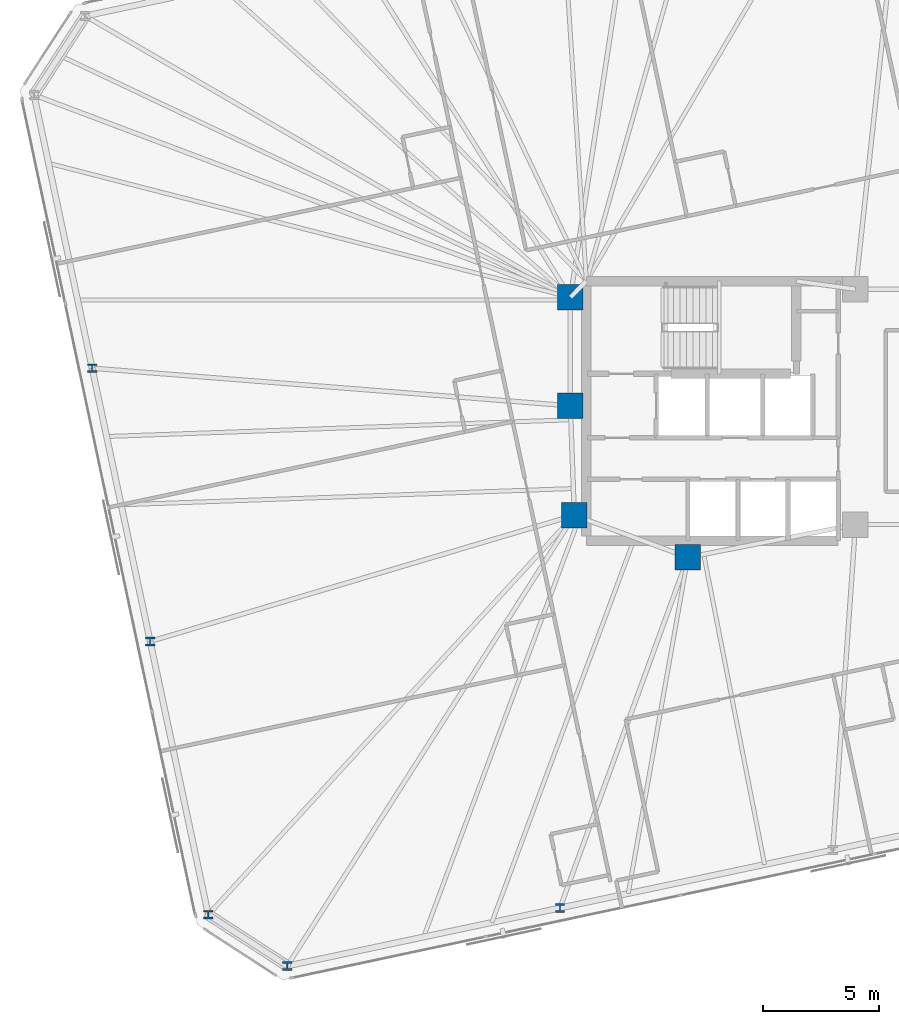
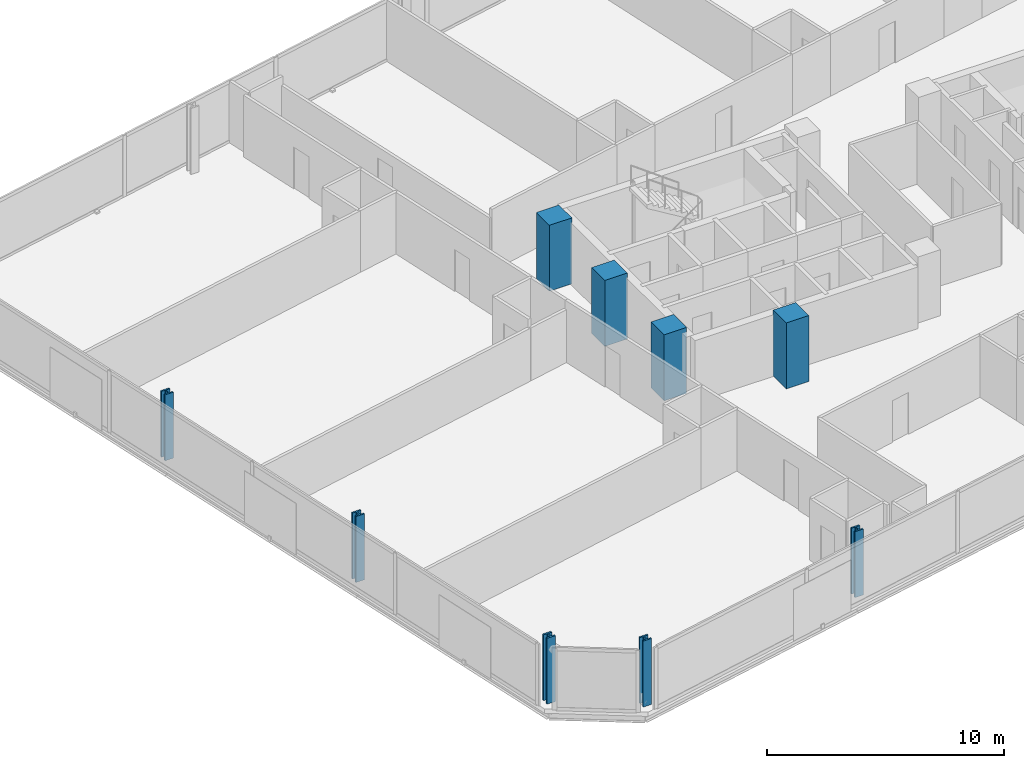
# One storey, part 1 of 19: 9 columns.
"""IFC4 building model written with IfcOpenShell, lengths in metres."""

from ifc_helpers import new_model, si_unit, direction, frame, origin, origin_2d, place, context, subcontext, project, spatial, rectangle, i_section, extrude, material, material_profile, profile_set, type_object, element, save


model = new_model("IFC4")

# Units and contexts
model_context = context("Model", 3, precision=1e-05, world=origin(), true_north=direction((0.0, 1.0)))
body_context = subcontext(model_context, "Body", "Model", "MODEL_VIEW")
ifc_project = project(units=[si_unit("LENGTHUNIT", "METRE"), si_unit("AREAUNIT", "SQUARE_METRE"), si_unit("VOLUMEUNIT", "CUBIC_METRE"), si_unit("PLANEANGLEUNIT", "RADIAN"), si_unit("MASSUNIT", "GRAM", prefix="KILO")], contexts=[model_context])

# Site, building, storey
site_placement = place(None, origin())
site = spatial("IfcSite", under=ifc_project, at=site_placement, CompositionType="ELEMENT")
building_placement = place(site_placement, origin())
building = spatial("IfcBuilding", under=site, at=building_placement, Name="Menara Jurai Vektor", CompositionType="ELEMENT")
storey_placement = place(building_placement, frame((0.0, 0.0, 195.60009765625)))
storey = spatial("IfcBuildingStorey", under=building, at=storey_placement, Name="L51", CompositionType="ELEMENT", Elevation=195.60009765625)

# Columns
ifc_material_1 = material(Name="Concrete C50/60", Category="concrete")
ifc_material_profile_1 = material_profile(ifc_material_1, rectangle(XDim=1.10009765625, YDim=1.10009765625, at=origin_2d()), Name="RC 1100x1100")
ifc_profile_set_1 = profile_set([ifc_material_profile_1], Name="Concrete C50/60")
column_type_1 = type_object("IfcColumnType", Name="STR-COL-RC1100", PredefinedType="COLUMN", material=ifc_profile_set_1)
for number, where, z_axis, x_axis, name in (
    (1, (-15.25, 4.89990234375, 0.0), (0.0, 0.0, 1.0), (1.0, 0.0, 0.0), "Core Spine Column CW-NW L51"),
    (2, (-15.25, 0.219970703125, 0.0), (0.0, 0.0, 1.0), (1.0, 0.0, 0.0), "Core Spine Column CW-WM L51"),
    (3, (-15.080078125, -4.5, 0.0), (0.0, 0.0, 1.0), (1.0, 0.0, 0.0), "Core Spine Column CW-SW L51"),
    (4, (-10.179931640625, -6.320068359375, 0.0), (0.0, 0.0, 1.0), (1.0, 0.0, 0.0), "Core Spine Column CW-SM L51"),
):
    element("IfcColumn", number, at=place(storey_placement, frame(where, z_axis=z_axis, x_axis=x_axis)), inside=storey, type_object=column_type_1, Name=name, PredefinedType="COLUMN", context=body_context, shape_type="SweptSolid", body=[
        extrude(rectangle(XDim=1.10009765625, YDim=1.10009765625, at=origin_2d()), origin(), (0.0, 0.0, 1.0), 3.39990234375),
    ])
ifc_material_2 = material(Name="Steel S460", Category="steel")
ifc_material_profile_2 = material_profile(ifc_material_2, i_section(OverallWidth=0.408935546875, OverallDepth=0.3740234375, WebThickness=0.048095703125, FlangeThickness=0.076904296875, FilletRadius=0.014892578125, at=origin_2d()), Name="HD 400x634")
ifc_profile_set_2 = profile_set([ifc_material_profile_2], Name="Steel S460")
column_type_2 = type_object("IfcColumnType", Name="STR-EXO-BLK3", PredefinedType="COLUMN", material=ifc_profile_set_2)
for number, where, z_axis, x_axis, name in (
    (5, (-27.46484375, -23.94580078125, 0.0), (0.0, 0.0, 1.0), (1.0, 0.0, 0.0), "Exoskeleton Column BLK3-S1 L51"),
    (6, (-15.696533203125, -21.4443359375, 0.0), (0.0, 0.0, 1.0), (1.0, 0.0, 0.0), "Exoskeleton Column BLK3-S2 L51"),
    (7, (-35.8828125, 1.843505859375, 0.0), (0.0, 0.0, 1.0), (1.0, 0.0, 0.0), "Exoskeleton Column BLK3-W2 L51"),
    (8, (-33.377197265625, -9.945068359375, 0.0), (0.0, 0.0, 1.0), (1.0, 0.0, 0.0), "Exoskeleton Column BLK3-W3 L51"),
    (9, (-30.871337890625, -21.7333984375, 0.0), (0.0, 0.0, 1.0), (1.0, 0.0, 0.0), "Exoskeleton Column BLK3-W4 L51"),
):
    element("IfcColumn", number, at=place(storey_placement, frame(where, z_axis=z_axis, x_axis=x_axis)), inside=storey, type_object=column_type_2, Name=name, PredefinedType="COLUMN", context=body_context, shape_type="SweptSolid", body=[
        extrude(i_section(OverallWidth=0.408935546875, OverallDepth=0.3740234375, WebThickness=0.048095703125, FlangeThickness=0.076904296875, FilletRadius=0.014892578125, at=origin_2d()), origin(), (0.0, 0.0, 1.0), 3.39990234375),
    ])

save(model, "model.ifc")
